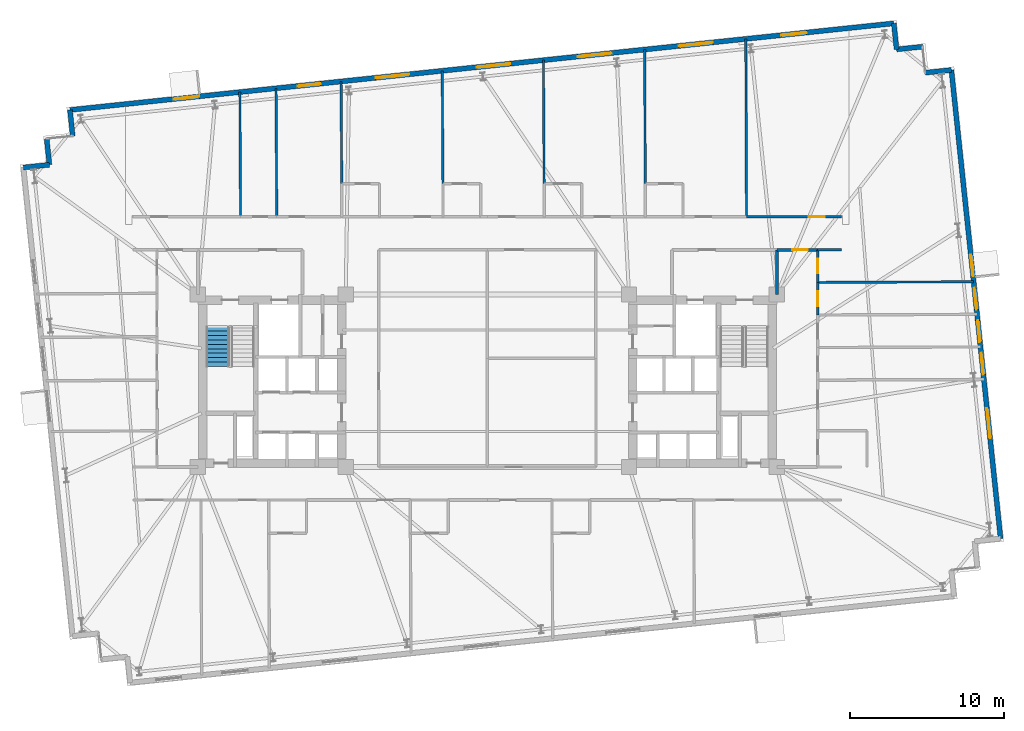
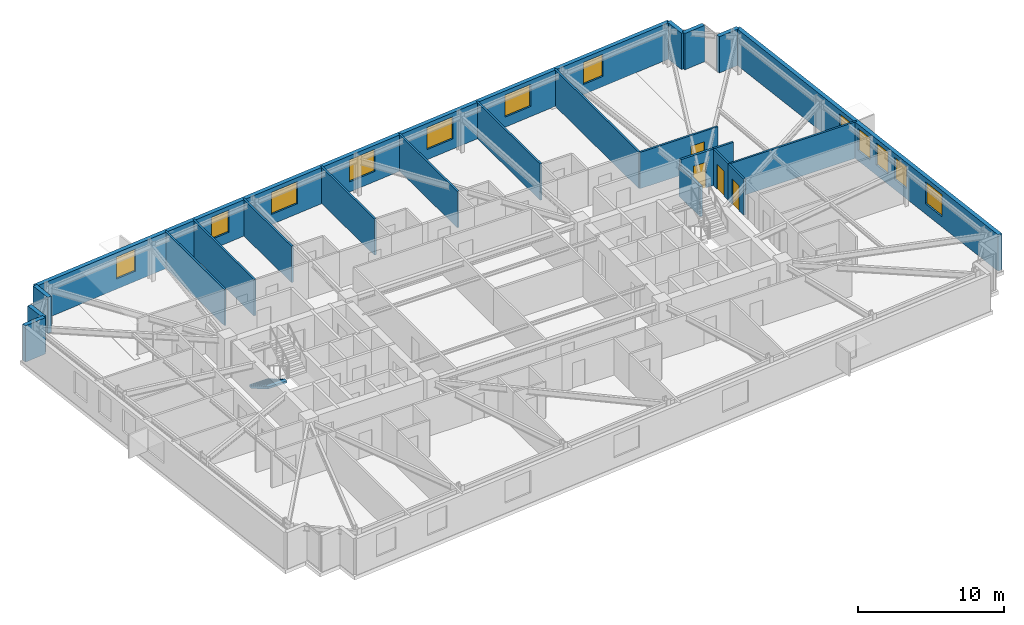
# One storey, part 16 of 20: 22 walls, 12 windows, 4 doors, 1 stair flight, 16 openings, 1 element without a shape of its own.
"""IFC4 building model written with IfcOpenShell, lengths in metres."""

import ifcopenshell
import ifcopenshell.guid

model = None  # the IFC model being written
_history = None  # IfcOwnerHistory: only IFC2X3 demands one
_inside = {}  # id of a spatial element -> (the spatial element, [elements in it])
_under = {}  # id of a project, library or spatial element -> (it, [spatial elements below it])
_declared = {}  # id of a project -> (the project, [libraries it declares])
_typed = {}  # id of a type object -> (the type object, [elements of that type])
_made_of = {}  # id of a material, layer set ... -> (it, [elements and type objects made of it])


def new_model(schema):
    """Start an empty IFC model of exactly this schema.

    Asked for "IFC4X3", IfcOpenShell would pick the latest addendum, in which some entities
    have other attributes; the version numbers below select the first issue.
    IFC2X3 requires an IfcOwnerHistory on every rooted entity: one is made here for all.
    """
    global model, _history
    if schema == "IFC4X3":
        model = ifcopenshell.file(schema_version=(4, 3, 0, 0))
    else:
        model = ifcopenshell.file(schema=schema)
    _inside.clear()
    _under.clear()
    _declared.clear()
    _typed.clear()
    _made_of.clear()
    _history = None
    if model.schema == "IFC2X3":
        org = make("IfcOrganization", Name="unknown")
        user = make(
            "IfcPersonAndOrganization",
            ThePerson=make("IfcPerson", FamilyName="unknown"),
            TheOrganization=org,
        )
        app = make(
            "IfcApplication",
            ApplicationDeveloper=org,
            Version="unknown",
            ApplicationFullName="unknown",
            ApplicationIdentifier="unknown",
        )
        _history = make(
            "IfcOwnerHistory",
            OwningUser=user,
            OwningApplication=app,
            ChangeAction="ADDED",
            CreationDate=0,
        )
    return model


def make(cls, **values):
    """One entity of the class cls with the attributes given. An attribute that is None is left unset."""
    return model.create_entity(
        cls, **{name: value for name, value in values.items() if value is not None}
    )


def rooted(cls, **values):
    """An entity with a GlobalId (a new one), such as an element, a storey or a relation."""
    return make(cls, GlobalId=ifcopenshell.guid.new(), OwnerHistory=_history, **values)


def si_unit(unit_type, name, prefix=None):
    """IfcSIUnit, for example si_unit("LENGTHUNIT", "METRE", prefix="MILLI")."""
    return make("IfcSIUnit", UnitType=unit_type, Prefix=prefix, Name=name)


def assignment(units):
    """IfcUnitAssignment: the units of a project."""
    return None if units is None else make("IfcUnitAssignment", Units=units)


def point(xyz):
    """IfcCartesianPoint."""
    return None if xyz is None else make("IfcCartesianPoint", Coordinates=xyz)


def direction(xyz):
    """IfcDirection."""
    return None if xyz is None else make("IfcDirection", DirectionRatios=xyz)


def frame(location, z_axis=None, x_axis=None):
    """IfcAxis2Placement3D, a coordinate frame: its origin and axes. An axis left out is left unset."""
    return make(
        "IfcAxis2Placement3D",
        Location=point(location),
        Axis=direction(z_axis),
        RefDirection=direction(x_axis),
    )


def frame_2d(location, x_axis=None):
    """IfcAxis2Placement2D, a coordinate frame in the plane: its origin and x axis."""
    return make(
        "IfcAxis2Placement2D", Location=point(location), RefDirection=direction(x_axis)
    )


def origin():
    """The frame at (0, 0, 0) with its axes left unset."""
    return frame((0.0, 0.0, 0.0))


def place(relative_to, where):
    """IfcLocalPlacement: puts the frame where relative to a parent placement (None: the world)."""
    return make(
        "IfcLocalPlacement", PlacementRelTo=relative_to, RelativePlacement=where
    )


def context(
    kind, dimensions, precision=None, world=None, true_north=None, identifier=None
):
    """IfcGeometricRepresentationContext, for example the 3D "Model" context."""
    return make(
        "IfcGeometricRepresentationContext",
        ContextIdentifier=identifier,
        ContextType=kind,
        CoordinateSpaceDimension=dimensions,
        Precision=precision,
        WorldCoordinateSystem=world,
        TrueNorth=true_north,
    )


def subcontext(parent, identifier, kind, view, scale=None):
    """IfcGeometricRepresentationSubContext, for example "Body" below "Model"."""
    return make(
        "IfcGeometricRepresentationSubContext",
        ContextIdentifier=identifier,
        ContextType=kind,
        ParentContext=parent,
        TargetScale=scale,
        TargetView=view,
    )


def project(units=None, contexts=None):
    """IfcProject with its units and contexts."""
    return rooted(
        "IfcProject",
        Name="project",
        RepresentationContexts=contexts,
        UnitsInContext=assignment(units),
    )


def spatial(cls, under=None, at=None, **own):
    """A site, building, storey or space (cls), placed at a placement, below another one or the project."""
    s = rooted(cls, ObjectPlacement=at, **own)
    if under is not None:
        _under.setdefault(under.id(), (under, []))[1].append(s)
    return s


def polyline(points):
    """IfcPolyline through the points."""
    return make("IfcPolyline", Points=[point(p) for p in points])


def profile(cls, at=None, kind="AREA", **sizes):
    """A parametric profile (cls). Its sizes go by their IFC names, for example OverallWidth=200.0."""
    return make(cls, ProfileType=kind, Position=at, **sizes)


def rectangle(**sizes):
    """IfcRectangleProfileDef."""
    return profile("IfcRectangleProfileDef", **sizes)


def outline(outer, holes=None, kind="AREA"):
    """IfcArbitraryClosedProfileDef: a profile drawn as a closed curve; with holes, ...WithVoids."""
    if holes is None:
        return make("IfcArbitraryClosedProfileDef", ProfileType=kind, OuterCurve=outer)
    return make(
        "IfcArbitraryProfileDefWithVoids",
        ProfileType=kind,
        OuterCurve=outer,
        InnerCurves=holes,
    )


def extrude(swept, where, along, depth):
    """IfcExtrudedAreaSolid: the profile swept, set in the frame where, extruded along a direction by depth."""
    return make(
        "IfcExtrudedAreaSolid",
        SweptArea=swept,
        Position=where,
        ExtrudedDirection=direction(along),
        Depth=depth,
    )


def shape(context_of_items, identifier, shape_type, items):
    """IfcShapeRepresentation: the items that make up one representation, for example the "Body"."""
    return make(
        "IfcShapeRepresentation",
        ContextOfItems=context_of_items,
        RepresentationIdentifier=identifier,
        RepresentationType=shape_type,
        Items=items,
    )


def material(Name=None, Category=None):
    """IfcMaterial."""
    return make("IfcMaterial", Name=Name, Category=Category)


def layer(
    of_material, thickness, ventilated=None, Name=None, Category=None, Priority=None
):
    """IfcMaterialLayer: one layer of a wall or slab, of a material (None: an air gap)."""
    return make(
        "IfcMaterialLayer",
        Material=of_material,
        LayerThickness=thickness,
        IsVentilated=ventilated,
        Name=Name,
        Category=Category,
        Priority=Priority,
    )


def layer_set(layers, Name=None):
    """IfcMaterialLayerSet."""
    return make("IfcMaterialLayerSet", MaterialLayers=layers, LayerSetName=Name)


def made_of(thing, what):
    """Note that an element or type object is made of a material, layer set ...; save() writes the relation."""
    if what is not None:
        _made_of.setdefault(what.id(), (what, []))[1].append(thing)
    return thing


def type_object(cls, material=None, **own):
    """A type object (cls), such as IfcWallType, which elements share."""
    return made_of(rooted(cls, **own), material)


def element(
    cls,
    number,
    at=None,
    inside=None,
    cuts=None,
    type_object=None,
    material=None,
    context=None,
    identifier="Body",
    shape_type=None,
    held_by="IfcProductDefinitionShape",
    body=None,
    shapes=None,
    **own,
):
    """One element of the class cls, such as IfcWall. Its Tag is "e" and its number.

    at: its placement. inside: the storey or other place that contains it. cuts: it is an
    opening in that element (IfcRelVoidsElement). A single representation is given by context,
    identifier, shape_type and body (its items); several are given by shapes. held_by: the class
    of the entity that holds the representations. save() writes the other relations.
    """
    e = rooted(cls, Tag="e%d" % number, ObjectPlacement=at, **own)
    if body is not None:
        shapes = [shape(context, identifier, shape_type, body)]
    if shapes is not None:
        e.Representation = make(held_by, Representations=shapes)
    if inside is not None:
        _inside.setdefault(inside.id(), (inside, []))[1].append(e)
    if cuts is not None:
        rooted(
            "IfcRelVoidsElement", RelatingBuildingElement=cuts, RelatedOpeningElement=e
        )
    if type_object is not None:
        _typed.setdefault(type_object.id(), (type_object, []))[1].append(e)
    return made_of(e, material)


def fill(opening, filler):
    """IfcRelFillsElement: the door or window that sits in an opening."""
    return rooted(
        "IfcRelFillsElement",
        RelatingOpeningElement=opening,
        RelatedBuildingElement=filler,
    )


def aggregate(whole, parts):
    """IfcRelAggregates: a whole, such as a stair, and the parts it consists of."""
    return rooted("IfcRelAggregates", RelatingObject=whole, RelatedObjects=parts)


def save(model, path):
    """Write the relations noted so far, then the file.

    IfcRelAggregates (storeys below a building ...), IfcRelContainedInSpatialStructure (elements
    in a storey), IfcRelDefinesByType, IfcRelAssociatesMaterial and IfcRelDeclares: one each for
    every whole, place, type object, material and project.
    """
    for whole, parts in _under.values():
        aggregate(whole, parts)
    for where, things in _inside.values():
        rooted(
            "IfcRelContainedInSpatialStructure",
            RelatedElements=things,
            RelatingStructure=where,
        )
    for kind, things in _typed.values():
        rooted("IfcRelDefinesByType", RelatedObjects=things, RelatingType=kind)
    for what, things in _made_of.values():
        rooted("IfcRelAssociatesMaterial", RelatedObjects=things, RelatingMaterial=what)
    for by, libraries in _declared.values():
        rooted("IfcRelDeclares", RelatingContext=by, RelatedDefinitions=libraries)
    model.write(path)


model = new_model("IFC4")

# Units and contexts
model_context = context("Model", 3, precision=1e-05, world=origin(), true_north=direction((0.0, 1.0)))
body_context = subcontext(model_context, "Body", "Model", "MODEL_VIEW")
ifc_project = project(units=[si_unit("LENGTHUNIT", "METRE"), si_unit("AREAUNIT", "SQUARE_METRE"), si_unit("VOLUMEUNIT", "CUBIC_METRE"), si_unit("PLANEANGLEUNIT", "RADIAN"), si_unit("MASSUNIT", "GRAM", prefix="KILO")], contexts=[model_context])

# Site, building, storey
site_placement = place(None, origin())
site = spatial("IfcSite", under=ifc_project, at=site_placement, CompositionType="ELEMENT")
building_placement = place(site_placement, origin())
building = spatial("IfcBuilding", under=site, at=building_placement, Name="Qobustan Lattice House", CompositionType="ELEMENT")
storey_placement = place(building_placement, frame((0.0, 0.0, 89.050048828125)))
storey = spatial("IfcBuildingStorey", under=building, at=storey_placement, Name="L24", CompositionType="ELEMENT", Elevation=89.050048828125)

# Walls
ifc_material_1 = material(Name="Precast concrete C40/50", Category="concrete")
ifc_layer_1 = layer(ifc_material_1, 0.320068359375)
ifc_layer_set_1 = layer_set([ifc_layer_1], Name="Precast concrete C40/50")
wall_type_1 = type_object("IfcWallType", Name="WAL-EXT-STONE-320", PredefinedType="SOLIDWALL", material=ifc_layer_set_1)
for number, where, z_axis, x_axis, name in (
    (1, (-30.13330078125, 13.84912109375, 0.0), (0.0, 0.0, 1.0), (0.994534530939, 0.104408173862, 0.0), "L24 exterior limestone-clad wall 6"),
    (2, (-28.442626953125, 14.026611328125, 0.0), (0.0, 0.0, 1.0), (-0.104550220202, 0.994519608382, 0.0), "L24 exterior limestone-clad wall 7"),
    (3, (-26.9296875, 15.89501953125, 0.0), (0.0, 0.0, 1.0), (-0.104550220202, 0.994519608382, 0.0), "L24 exterior limestone-clad wall 9"),
):
    element("IfcWall", number, at=place(storey_placement, frame(where, z_axis=z_axis, x_axis=x_axis)), inside=storey, type_object=wall_type_1, Name=name, PredefinedType="SOLIDWALL", context=body_context, shape_type="SweptSolid", body=[
        extrude(rectangle(XDim=1.699951171875, YDim=0.320068359375, at=frame_2d((0.85009765625, 0.0))), origin(), (0.0, 0.0, 1.0), 3.044921875),
    ])

# Wall, openings, windows
wall_1_placement = place(storey_placement, frame((-27.107421875, 17.585693359375, 0.0), z_axis=(0.0, 0.0, 1.0), x_axis=(0.994521628355, 0.104531003701, 0.0)))
wall_1 = element("IfcWall", 4, at=wall_1_placement, inside=storey, type_object=wall_type_1, Name="L24 exterior limestone-clad wall 10", PredefinedType="SOLIDWALL", context=body_context, shape_type="SweptSolid", body=[
    extrude(rectangle(XDim=53.800048828125, YDim=0.320068359375, at=frame_2d((26.89990234375, 0.0))), origin(), (0.0, 0.0, 1.0), 3.044921875),
])
opening_1_placement = place(wall_1_placement, frame((6.78076171875, 0.0, 0.85009765625)))
opening_1 = element("IfcOpeningElement", 5, at=opening_1_placement, cuts=wall_1, Name="Opening WN-09", PredefinedType="OPENING", context=body_context, shape_type="SweptSolid", body=[
    extrude(rectangle(XDim=1.64990234375, YDim=1.85009765625, at=frame_2d((0.824951171875, 0.925048828125))), frame((0.0, 0.169921875, 0.0), z_axis=(0.0, -1.0, 0.0), x_axis=(1.0, 0.0, 0.0)), (0.0, 0.0, 1.0), 0.340087890625),
])
opening_2_placement = place(wall_1_placement, frame((14.861572265625, 0.0, 0.85009765625)))
opening_2 = element("IfcOpeningElement", 6, at=opening_2_placement, cuts=wall_1, Name="Opening WN-01", PredefinedType="OPENING", context=body_context, shape_type="SweptSolid", body=[
    extrude(rectangle(XDim=1.5, YDim=1.85009765625, at=frame_2d((0.75, 0.925048828125))), frame((0.0, 0.169921875, 0.0), z_axis=(0.0, -1.0, 0.0), x_axis=(1.0, 0.0, 0.0)), (0.0, 0.0, 1.0), 0.340087890625),
])
opening_3_placement = place(wall_1_placement, frame((19.955810546875, 0.0, 0.85009765625)))
opening_3 = element("IfcOpeningElement", 7, at=opening_3_placement, cuts=wall_1, Name="Opening WN-03", PredefinedType="OPENING", context=body_context, shape_type="SweptSolid", body=[
    extrude(rectangle(XDim=2.199951171875, YDim=1.85009765625, at=frame_2d((1.10009765625, 0.925048828125))), frame((0.0, 0.169921875, 0.0), z_axis=(0.0, -1.0, 0.0), x_axis=(1.0, 0.0, 0.0)), (0.0, 0.0, 1.0), 0.340087890625),
])
opening_4_placement = place(wall_1_placement, frame((26.560546875, 0.0, 0.85009765625)))
opening_4 = element("IfcOpeningElement", 8, at=opening_4_placement, cuts=wall_1, Name="Opening WN-03", PredefinedType="OPENING", context=body_context, shape_type="SweptSolid", body=[
    extrude(rectangle(XDim=2.199951171875, YDim=1.85009765625, at=frame_2d((1.10009765625, 0.925048828125))), frame((0.0, 0.169921875, 0.0), z_axis=(0.0, -1.0, 0.0), x_axis=(1.0, 0.0, 0.0)), (0.0, 0.0, 1.0), 0.340087890625),
])
opening_5_placement = place(wall_1_placement, frame((33.16552734375, 0.0, 0.85009765625)))
opening_5 = element("IfcOpeningElement", 9, at=opening_5_placement, cuts=wall_1, Name="Opening WN-03", PredefinedType="OPENING", context=body_context, shape_type="SweptSolid", body=[
    extrude(rectangle(XDim=2.199951171875, YDim=1.85009765625, at=frame_2d((1.10009765625, 0.925048828125))), frame((0.0, 0.169921875, 0.0), z_axis=(0.0, -1.0, 0.0), x_axis=(1.0, 0.0, 0.0)), (0.0, 0.0, 1.0), 0.340087890625),
])
opening_6_placement = place(wall_1_placement, frame((39.7705078125, 0.0, 0.85009765625)))
opening_6 = element("IfcOpeningElement", 10, at=opening_6_placement, cuts=wall_1, Name="Opening WN-03", PredefinedType="OPENING", context=body_context, shape_type="SweptSolid", body=[
    extrude(rectangle(XDim=2.199951171875, YDim=1.85009765625, at=frame_2d((1.10009765625, 0.925048828125))), frame((0.0, 0.169921875, 0.0), z_axis=(0.0, -1.0, 0.0), x_axis=(1.0, 0.0, 0.0)), (0.0, 0.0, 1.0), 0.340087890625),
])
opening_7_placement = place(wall_1_placement, frame((46.4501953125, 0.0, 0.85009765625)))
opening_7 = element("IfcOpeningElement", 11, at=opening_7_placement, cuts=wall_1, Name="Opening WN-09", PredefinedType="OPENING", context=body_context, shape_type="SweptSolid", body=[
    extrude(rectangle(XDim=1.64990234375, YDim=1.85009765625, at=frame_2d((0.824951171875, 0.925048828125))), frame((0.0, 0.169921875, 0.0), z_axis=(0.0, -1.0, 0.0), x_axis=(1.0, 0.0, 0.0)), (0.0, 0.0, 1.0), 0.340087890625),
])
ifc_material_2 = material(Name="Double-glazed low-E aluminium window", Category="aluminium")
window_type_1 = type_object("IfcWindowType", Name="WIN-BED-1500x1850", PartitioningType="SINGLE_PANEL", PredefinedType="WINDOW", material=ifc_material_2)
window_1_placement = place(opening_2_placement, origin())
window_1 = element("IfcWindow", 12, at=window_1_placement, inside=storey, type_object=window_type_1, Name="L24 Laundry utility room window", OverallHeight=1.85009765625, OverallWidth=1.5, PartitioningType="SINGLE_PANEL", PredefinedType="WINDOW", context=body_context, shape_type="SweptSolid", body=[
    extrude(rectangle(XDim=1.5, YDim=1.85009765625, at=frame_2d((0.75, 0.925048828125))), frame((0.0, 0.030029296875, 0.0), z_axis=(0.0, -1.0, 0.0), x_axis=(1.0, 0.0, 0.0)), (0.0, 0.0, 1.0), 0.06005859375),
])
fill(opening_2, window_1)
ifc_material_3 = material(Name="Double-glazed low-E aluminium window", Category="aluminium")
window_type_2 = type_object("IfcWindowType", Name="WIN-STU-1650x1850", PartitioningType="SINGLE_PANEL", PredefinedType="WINDOW", material=ifc_material_3)
window_2_placement = place(opening_1_placement, origin())
window_2 = element("IfcWindow", 13, at=window_2_placement, inside=storey, type_object=window_type_2, Name="L24 Focus study room N1 window", OverallHeight=1.85009765625, OverallWidth=1.64990234375, PartitioningType="SINGLE_PANEL", PredefinedType="WINDOW", context=body_context, shape_type="SweptSolid", body=[
    extrude(rectangle(XDim=1.64990234375, YDim=1.85009765625, at=frame_2d((0.824951171875, 0.925048828125))), frame((0.0, 0.030029296875, 0.0), z_axis=(0.0, -1.0, 0.0), x_axis=(1.0, 0.0, 0.0)), (0.0, 0.0, 1.0), 0.06005859375),
])
fill(opening_1, window_2)
window_3_placement = place(opening_7_placement, origin())
window_3 = element("IfcWindow", 14, at=window_3_placement, inside=storey, type_object=window_type_2, Name="L24 Focus study room N7 window", OverallHeight=1.85009765625, OverallWidth=1.64990234375, PartitioningType="SINGLE_PANEL", PredefinedType="WINDOW", context=body_context, shape_type="SweptSolid", body=[
    extrude(rectangle(XDim=1.64990234375, YDim=1.85009765625, at=frame_2d((0.824951171875, 0.925048828125))), frame((0.0, 0.030029296875, 0.0), z_axis=(0.0, -1.0, 0.0), x_axis=(1.0, 0.0, 0.0)), (0.0, 0.0, 1.0), 0.06005859375),
])
fill(opening_7, window_3)
ifc_material_4 = material(Name="Double-glazed low-E aluminium window", Category="aluminium")
window_type_3 = type_object("IfcWindowType", Name="WIN-WIDE-2200x1850", PartitioningType="SINGLE_PANEL", PredefinedType="WINDOW", material=ifc_material_4)
window_4_placement = place(opening_3_placement, origin())
window_4 = element("IfcWindow", 15, at=window_4_placement, inside=storey, type_object=window_type_3, Name="L24 Kitchenette and studio apartment L24-N3 window", OverallHeight=1.85009765625, OverallWidth=2.199951171875, PartitioningType="SINGLE_PANEL", PredefinedType="WINDOW", context=body_context, shape_type="SweptSolid", body=[
    extrude(rectangle(XDim=2.199951171875, YDim=1.85009765625, at=frame_2d((1.10009765625, 0.925048828125))), frame((0.0, 0.030029296875, 0.0), z_axis=(0.0, -1.0, 0.0), x_axis=(1.0, 0.0, 0.0)), (0.0, 0.0, 1.0), 0.06005859375),
])
fill(opening_3, window_4)
window_5_placement = place(opening_4_placement, origin())
window_5 = element("IfcWindow", 16, at=window_5_placement, inside=storey, type_object=window_type_3, Name="L24 Kitchenette and studio apartment L24-N4 window", OverallHeight=1.85009765625, OverallWidth=2.199951171875, PartitioningType="SINGLE_PANEL", PredefinedType="WINDOW", context=body_context, shape_type="SweptSolid", body=[
    extrude(rectangle(XDim=2.199951171875, YDim=1.85009765625, at=frame_2d((1.10009765625, 0.925048828125))), frame((0.0, 0.030029296875, 0.0), z_axis=(0.0, -1.0, 0.0), x_axis=(1.0, 0.0, 0.0)), (0.0, 0.0, 1.0), 0.06005859375),
])
fill(opening_4, window_5)
window_6_placement = place(opening_5_placement, origin())
window_6 = element("IfcWindow", 17, at=window_6_placement, inside=storey, type_object=window_type_3, Name="L24 Kitchenette and studio apartment L24-N5 window", OverallHeight=1.85009765625, OverallWidth=2.199951171875, PartitioningType="SINGLE_PANEL", PredefinedType="WINDOW", context=body_context, shape_type="SweptSolid", body=[
    extrude(rectangle(XDim=2.199951171875, YDim=1.85009765625, at=frame_2d((1.10009765625, 0.925048828125))), frame((0.0, 0.030029296875, 0.0), z_axis=(0.0, -1.0, 0.0), x_axis=(1.0, 0.0, 0.0)), (0.0, 0.0, 1.0), 0.06005859375),
])
fill(opening_5, window_6)
window_7_placement = place(opening_6_placement, origin())
window_7 = element("IfcWindow", 18, at=window_7_placement, inside=storey, type_object=window_type_3, Name="L24 Kitchenette and studio apartment L24-N6 window", OverallHeight=1.85009765625, OverallWidth=2.199951171875, PartitioningType="SINGLE_PANEL", PredefinedType="WINDOW", context=body_context, shape_type="SweptSolid", body=[
    extrude(rectangle(XDim=2.199951171875, YDim=1.85009765625, at=frame_2d((1.10009765625, 0.925048828125))), frame((0.0, 0.030029296875, 0.0), z_axis=(0.0, -1.0, 0.0), x_axis=(1.0, 0.0, 0.0)), (0.0, 0.0, 1.0), 0.06005859375),
])
fill(opening_6, window_7)

# Walls
for number, where, z_axis, x_axis, name in (
    (19, (26.39794921875, 23.20947265625, 0.0), (0.0, 0.0, 1.0), (0.104550220202, -0.994519608382, 0.0), "L24 exterior limestone-clad wall 11"),
    (20, (26.57568359375, 21.518798828125, 0.0), (0.0, 0.0, 1.0), (0.994534530939, 0.104408173862, 0.0), "L24 exterior limestone-clad wall 12"),
    (21, (28.444091796875, 20.005615234375, 0.0), (0.0, 0.0, 1.0), (0.994519608382, 0.104550220202, 0.0), "L24 exterior limestone-clad wall 14"),
):
    element("IfcWall", number, at=place(storey_placement, frame(where, z_axis=z_axis, x_axis=x_axis)), inside=storey, type_object=wall_type_1, Name=name, PredefinedType="SOLIDWALL", context=body_context, shape_type="SweptSolid", body=[
        extrude(rectangle(XDim=1.699951171875, YDim=0.320068359375, at=frame_2d((0.85009765625, 0.0))), origin(), (0.0, 0.0, 1.0), 3.044921875),
    ])

# Wall, openings, windows
wall_2_placement = place(storey_placement, frame((30.134765625, 20.183349609375, 0.0), z_axis=(0.0, 0.0, 1.0), x_axis=(0.104525716865, -0.994522184023, 0.0)))
wall_2 = element("IfcWall", 22, at=wall_2_placement, inside=storey, type_object=wall_type_1, Name="L24 exterior limestone-clad wall 15", PredefinedType="SOLIDWALL", context=body_context, shape_type="SweptSolid", body=[
    extrude(rectangle(XDim=30.60009765625, YDim=0.320068359375, at=frame_2d((15.300048828125, 0.0))), origin(), (0.0, 0.0, 1.0), 3.044921875),
])
opening_8_placement = place(wall_2_placement, frame((12.07666015625, 0.0, 0.85009765625)))
opening_8 = element("IfcOpeningElement", 23, at=opening_8_placement, cuts=wall_2, Name="Opening WN-12", PredefinedType="OPENING", context=body_context, shape_type="SweptSolid", body=[
    extrude(rectangle(XDim=1.39990234375, YDim=1.85009765625, at=frame_2d((0.699951171875, 0.925048828125))), frame((0.0, 0.169921875, 0.0), z_axis=(0.0, -1.0, 0.0), x_axis=(1.0, 0.0, 0.0)), (0.0, 0.0, 1.0), 0.340087890625),
])
opening_9_placement = place(wall_2_placement, frame((14.239501953125, 0.0, 0.85009765625)))
opening_9 = element("IfcOpeningElement", 24, at=opening_9_placement, cuts=wall_2, Name="Opening WN-12", PredefinedType="OPENING", context=body_context, shape_type="SweptSolid", body=[
    extrude(rectangle(XDim=1.39990234375, YDim=1.85009765625, at=frame_2d((0.699951171875, 0.925048828125))), frame((0.0, 0.169921875, 0.0), z_axis=(0.0, -1.0, 0.0), x_axis=(1.0, 0.0, 0.0)), (0.0, 0.0, 1.0), 0.340087890625),
])
opening_10_placement = place(wall_2_placement, frame((16.3623046875, 0.0, 0.85009765625)))
opening_10 = element("IfcOpeningElement", 25, at=opening_10_placement, cuts=wall_2, Name="Opening WN-12", PredefinedType="OPENING", context=body_context, shape_type="SweptSolid", body=[
    extrude(rectangle(XDim=1.39990234375, YDim=1.85009765625, at=frame_2d((0.699951171875, 0.925048828125))), frame((0.0, 0.169921875, 0.0), z_axis=(0.0, -1.0, 0.0), x_axis=(1.0, 0.0, 0.0)), (0.0, 0.0, 1.0), 0.340087890625),
])
opening_11_placement = place(wall_2_placement, frame((18.485107421875, 0.0, 0.85009765625)))
opening_11 = element("IfcOpeningElement", 26, at=opening_11_placement, cuts=wall_2, Name="Opening WN-12", PredefinedType="OPENING", context=body_context, shape_type="SweptSolid", body=[
    extrude(rectangle(XDim=1.39990234375, YDim=1.85009765625, at=frame_2d((0.699951171875, 0.925048828125))), frame((0.0, 0.169921875, 0.0), z_axis=(0.0, -1.0, 0.0), x_axis=(1.0, 0.0, 0.0)), (0.0, 0.0, 1.0), 0.340087890625),
])
opening_12_placement = place(wall_2_placement, frame((22.09521484375, 0.0, 0.85009765625)))
opening_12 = element("IfcOpeningElement", 27, at=opening_12_placement, cuts=wall_2, Name="Opening WN-08", PredefinedType="OPENING", context=body_context, shape_type="SweptSolid", body=[
    extrude(rectangle(XDim=1.949951171875, YDim=1.85009765625, at=frame_2d((0.97509765625, 0.925048828125))), frame((0.0, 0.169921875, 0.0), z_axis=(0.0, -1.0, 0.0), x_axis=(1.0, 0.0, 0.0)), (0.0, 0.0, 1.0), 0.340087890625),
])
ifc_material_5 = material(Name="Double-glazed low-E aluminium window", Category="aluminium")
window_type_4 = type_object("IfcWindowType", Name="WIN-BED-1400x1850", PartitioningType="SINGLE_PANEL", PredefinedType="WINDOW", material=ifc_material_5)
window_8_placement = place(opening_8_placement, origin())
window_8 = element("IfcWindow", 28, at=window_8_placement, inside=storey, type_object=window_type_4, Name="L24 Cluster bedroom L24E4 window", OverallHeight=1.85009765625, OverallWidth=1.39990234375, PartitioningType="SINGLE_PANEL", PredefinedType="WINDOW", context=body_context, shape_type="SweptSolid", body=[
    extrude(rectangle(XDim=1.39990234375, YDim=1.85009765625, at=frame_2d((0.699951171875, 0.925048828125))), frame((0.0, 0.030029296875, 0.0), z_axis=(0.0, -1.0, 0.0), x_axis=(1.0, 0.0, 0.0)), (0.0, 0.0, 1.0), 0.06005859375),
])
fill(opening_8, window_8)
window_9_placement = place(opening_9_placement, origin())
window_9 = element("IfcWindow", 29, at=window_9_placement, inside=storey, type_object=window_type_4, Name="L24 Cluster bedroom L24E3 window", OverallHeight=1.85009765625, OverallWidth=1.39990234375, PartitioningType="SINGLE_PANEL", PredefinedType="WINDOW", context=body_context, shape_type="SweptSolid", body=[
    extrude(rectangle(XDim=1.39990234375, YDim=1.85009765625, at=frame_2d((0.699951171875, 0.925048828125))), frame((0.0, 0.030029296875, 0.0), z_axis=(0.0, -1.0, 0.0), x_axis=(1.0, 0.0, 0.0)), (0.0, 0.0, 1.0), 0.06005859375),
])
fill(opening_9, window_9)
window_10_placement = place(opening_10_placement, origin())
window_10 = element("IfcWindow", 30, at=window_10_placement, inside=storey, type_object=window_type_4, Name="L24 Cluster bedroom L24E2 window", OverallHeight=1.85009765625, OverallWidth=1.39990234375, PartitioningType="SINGLE_PANEL", PredefinedType="WINDOW", context=body_context, shape_type="SweptSolid", body=[
    extrude(rectangle(XDim=1.39990234375, YDim=1.85009765625, at=frame_2d((0.699951171875, 0.925048828125))), frame((0.0, 0.030029296875, 0.0), z_axis=(0.0, -1.0, 0.0), x_axis=(1.0, 0.0, 0.0)), (0.0, 0.0, 1.0), 0.06005859375),
])
fill(opening_10, window_10)
window_11_placement = place(opening_11_placement, origin())
window_11 = element("IfcWindow", 31, at=window_11_placement, inside=storey, type_object=window_type_4, Name="L24 Cluster bedroom L24E1 window", OverallHeight=1.85009765625, OverallWidth=1.39990234375, PartitioningType="SINGLE_PANEL", PredefinedType="WINDOW", context=body_context, shape_type="SweptSolid", body=[
    extrude(rectangle(XDim=1.39990234375, YDim=1.85009765625, at=frame_2d((0.699951171875, 0.925048828125))), frame((0.0, 0.030029296875, 0.0), z_axis=(0.0, -1.0, 0.0), x_axis=(1.0, 0.0, 0.0)), (0.0, 0.0, 1.0), 0.06005859375),
])
fill(opening_11, window_11)
ifc_material_6 = material(Name="Double-glazed low-E aluminium window", Category="aluminium")
window_type_5 = type_object("IfcWindowType", Name="WIN-KIT-1950x1850", PartitioningType="SINGLE_PANEL", PredefinedType="WINDOW", material=ifc_material_6)
window_12_placement = place(opening_12_placement, origin())
window_12 = element("IfcWindow", 32, at=window_12_placement, inside=storey, type_object=window_type_5, Name="L24 Shared kitchen L24E window", OverallHeight=1.85009765625, OverallWidth=1.949951171875, PartitioningType="SINGLE_PANEL", PredefinedType="WINDOW", context=body_context, shape_type="SweptSolid", body=[
    extrude(rectangle(XDim=1.949951171875, YDim=1.85009765625, at=frame_2d((0.97509765625, 0.925048828125))), frame((0.0, 0.030029296875, 0.0), z_axis=(0.0, -1.0, 0.0), x_axis=(1.0, 0.0, 0.0)), (0.0, 0.0, 1.0), 0.06005859375),
])
fill(opening_12, window_12)

# Wall, opening, door
ifc_material_7 = material(Name="Gypsum fireboard acoustic partition", Category="gypsum")
ifc_layer_2 = layer(ifc_material_7, 0.179931640625)
ifc_layer_set_2 = layer_set([ifc_layer_2], Name="Gypsum fireboard acoustic partition")
wall_type_2 = type_object("IfcWallType", Name="WAL-FIRE-180", PredefinedType="PARTITIONING", material=ifc_layer_set_2)
wall_3_placement = place(storey_placement, frame((21.449951171875, 8.5, 0.0), z_axis=(0.0, 0.0, 1.0), x_axis=(-1.0, 0.0, 0.0)))
wall_3 = element("IfcWall", 33, at=wall_3_placement, inside=storey, type_object=wall_type_2, Name="L24 interior partition 48", PredefinedType="PARTITIONING", context=body_context, shape_type="SweptSolid", body=[
    extrude(rectangle(XDim=2.64990234375, YDim=0.179931640625, at=frame_2d((1.324951171875, 0.0))), origin(), (0.0, 0.0, 1.0), 3.044921875),
])
opening_13_placement = place(wall_3_placement, frame((0.64111328125, 0.0, 0.0)))
opening_13 = element("IfcOpeningElement", 34, at=opening_13_placement, cuts=wall_3, Name="Opening FD-02", PredefinedType="OPENING", context=body_context, shape_type="SweptSolid", body=[
    extrude(rectangle(XDim=1.0, YDim=2.14990234375, at=frame_2d((0.5, 1.074951171875))), frame((0.0, 0.099853515625, 0.0), z_axis=(0.0, -1.0, 0.0), x_axis=(1.0, 0.0, 0.0)), (0.0, 0.0, 1.0), 0.199951171875),
])
ifc_material_8 = material(Name="Persian walnut timber and steel frame door", Category="steel")
door_type_1 = type_object("IfcDoorType", Name="DOR-UNIT-FD-1000x2150", OperationType="NOTDEFINED", PredefinedType="DOOR", material=ifc_material_8)
door_1_placement = place(opening_13_placement, origin())
door_1 = element("IfcDoor", 35, at=door_1_placement, inside=storey, type_object=door_type_1, Name="L24 North-east floor corridor to Residence entrance hall L24E door", OperationType="SINGLE_SWING_RIGHT", OverallHeight=2.14990234375, OverallWidth=1.0, PredefinedType="DOOR", context=body_context, shape_type="SweptSolid", body=[
    extrude(rectangle(XDim=1.0, YDim=2.14990234375, at=frame_2d((0.5, 1.074951171875))), frame((0.0, 0.02490234375, 0.0), z_axis=(0.0, -1.0, 0.0), x_axis=(1.0, 0.0, 0.0)), (0.0, 0.0, 1.0), 0.050048828125),
])
fill(opening_13, door_1)

# Wall
ifc_material_9 = material(Name="Acoustic twin-stud gypsum partition", Category="gypsum")
ifc_layer_3 = layer(ifc_material_9, 0.14990234375)
ifc_layer_set_3 = layer_set([ifc_layer_3], Name="Acoustic twin-stud gypsum partition")
wall_type_3 = type_object("IfcWallType", Name="WAL-PART-150", PredefinedType="PARTITIONING", material=ifc_layer_set_3)
wall_4_placement = place(storey_placement, frame((23.0, 8.5, 0.0), z_axis=(0.0, 0.0, 1.0), x_axis=(-1.0, 0.0, 0.0)))
element("IfcWall", 36, at=wall_4_placement, inside=storey, type_object=wall_type_3, Name="L24 interior partition 49", PredefinedType="PARTITIONING", context=body_context, shape_type="SweptSolid", body=[
    extrude(rectangle(XDim=1.550048828125, YDim=0.14990234375, at=frame_2d((0.77490234375, 0.0))), origin(), (0.0, 0.0, 1.0), 3.044921875),
])

# Wall, opening, door
wall_5_placement = place(storey_placement, frame((16.8291015625, 10.64990234375, 0.0), z_axis=(0.0, 0.0, 1.0), x_axis=(1.0, 0.0, 0.0)))
wall_5 = element("IfcWall", 37, at=wall_5_placement, inside=storey, type_object=wall_type_3, Name="L24 interior partition 55", PredefinedType="PARTITIONING", context=body_context, shape_type="SweptSolid", body=[
    extrude(rectangle(XDim=6.1708984375, YDim=0.14990234375, at=frame_2d((3.08544921875, 0.0))), origin(), (0.0, 0.0, 1.0), 3.044921875),
])
opening_14_placement = place(wall_5_placement, frame((4.0458984375, 0.0, 0.0)))
opening_14 = element("IfcOpeningElement", 38, at=opening_14_placement, cuts=wall_5, Name="Opening ID-02", PredefinedType="OPENING", context=body_context, shape_type="SweptSolid", body=[
    extrude(rectangle(XDim=1.050048828125, YDim=2.14990234375, at=frame_2d((0.52490234375, 1.074951171875))), frame((0.0, 0.0849609375, 0.0), z_axis=(0.0, -1.0, 0.0), x_axis=(1.0, 0.0, 0.0)), (0.0, 0.0, 1.0), 0.169921875),
])
ifc_material_10 = material(Name="Persian walnut timber and steel frame door", Category="steel")
door_type_2 = type_object("IfcDoorType", Name="DOR-STUDY-1050x2150", OperationType="NOTDEFINED", PredefinedType="DOOR", material=ifc_material_10)
door_2_placement = place(opening_14_placement, origin())
door_2 = element("IfcDoor", 39, at=door_2_placement, inside=storey, type_object=door_type_2, Name="L24 North-east floor corridor to Focus study room N7 door", OperationType="SINGLE_SWING_RIGHT", OverallHeight=2.14990234375, OverallWidth=1.050048828125, PredefinedType="DOOR", context=body_context, shape_type="SweptSolid", body=[
    extrude(rectangle(XDim=1.050048828125, YDim=2.14990234375, at=frame_2d((0.52490234375, 1.074951171875))), frame((0.0, 0.02490234375, 0.0), z_axis=(0.0, -1.0, 0.0), x_axis=(1.0, 0.0, 0.0)), (0.0, 0.0, 1.0), 0.050048828125),
])
fill(opening_14, door_2)

wall_6_placement = place(storey_placement, frame((21.449951171875, 6.385009765625, 0.0), z_axis=(0.0, 0.0, 1.0), x_axis=(0.0, -1.0, 0.0)))
wall_6 = element("IfcWall", 40, at=wall_6_placement, inside=storey, type_object=wall_type_3, Name="L24 interior partition 89", PredefinedType="PARTITIONING", context=body_context, shape_type="SweptSolid", body=[
    extrude(rectangle(XDim=2.114990234375, YDim=0.14990234375, at=frame_2d((1.0576171875, 0.0))), origin(), (0.0, 0.0, 1.0), 3.044921875),
])
opening_15_placement = place(wall_6_placement, frame((0.58251953125, 0.0, 0.0)))
opening_15 = element("IfcOpeningElement", 41, at=opening_15_placement, cuts=wall_6, Name="Opening ID-01", PredefinedType="OPENING", context=body_context, shape_type="SweptSolid", body=[
    extrude(rectangle(XDim=0.949951171875, YDim=2.10009765625, at=frame_2d((0.47509765625, 1.050048828125))), frame((0.0, 0.0849609375, 0.0), z_axis=(0.0, -1.0, 0.0), x_axis=(1.0, 0.0, 0.0)), (0.0, 0.0, 1.0), 0.169921875),
])
ifc_material_11 = material(Name="Persian walnut timber and steel frame door", Category="steel")
door_type_3 = type_object("IfcDoorType", Name="DOR-ROOM-950x2100", OperationType="NOTDEFINED", PredefinedType="DOOR", material=ifc_material_11)
door_3_placement = place(opening_15_placement, origin())
door_3 = element("IfcDoor", 42, at=door_3_placement, inside=storey, type_object=door_type_3, Name="L24 Residence entrance hall L24E to Cluster bedroom L24E3 door", OperationType="SINGLE_SWING_LEFT", OverallHeight=2.10009765625, OverallWidth=0.949951171875, PredefinedType="DOOR", context=body_context, shape_type="SweptSolid", body=[
    extrude(rectangle(XDim=0.949951171875, YDim=2.10009765625, at=frame_2d((0.47509765625, 1.050048828125))), frame((0.0, 0.02490234375, 0.0), z_axis=(0.0, -1.0, 0.0), x_axis=(1.0, 0.0, 0.0)), (0.0, 0.0, 1.0), 0.050048828125),
])
fill(opening_15, door_3)

wall_7_placement = place(storey_placement, frame((21.449951171875, 8.5, 0.0), z_axis=(0.0, 0.0, 1.0), x_axis=(0.0, -1.0, 0.0)))
wall_7 = element("IfcWall", 43, at=wall_7_placement, inside=storey, type_object=wall_type_3, Name="L24 interior partition 90", PredefinedType="PARTITIONING", context=body_context, shape_type="SweptSolid", body=[
    extrude(rectangle(XDim=2.114990234375, YDim=0.14990234375, at=frame_2d((1.0576171875, 0.0))), origin(), (0.0, 0.0, 1.0), 3.044921875),
])
opening_16_placement = place(wall_7_placement, frame((0.58251953125, 0.0, 0.0)))
opening_16 = element("IfcOpeningElement", 44, at=opening_16_placement, cuts=wall_7, Name="Opening ID-01", PredefinedType="OPENING", context=body_context, shape_type="SweptSolid", body=[
    extrude(rectangle(XDim=0.949951171875, YDim=2.10009765625, at=frame_2d((0.47509765625, 1.050048828125))), frame((0.0, 0.0849609375, 0.0), z_axis=(0.0, -1.0, 0.0), x_axis=(1.0, 0.0, 0.0)), (0.0, 0.0, 1.0), 0.169921875),
])
door_4_placement = place(opening_16_placement, origin())
door_4 = element("IfcDoor", 45, at=door_4_placement, inside=storey, type_object=door_type_3, Name="L24 Residence entrance hall L24E to Cluster bedroom L24E4 door", OperationType="SINGLE_SWING_RIGHT", OverallHeight=2.10009765625, OverallWidth=0.949951171875, PredefinedType="DOOR", context=body_context, shape_type="SweptSolid", body=[
    extrude(rectangle(XDim=0.949951171875, YDim=2.10009765625, at=frame_2d((0.47509765625, 1.050048828125))), frame((0.0, 0.02490234375, 0.0), z_axis=(0.0, -1.0, 0.0), x_axis=(1.0, 0.0, 0.0)), (0.0, 0.0, 1.0), 0.050048828125),
])
fill(opening_16, door_4)

# Walls
wall_8_placement = place(storey_placement, frame((21.449951171875, 6.385009765625, 0.0), z_axis=(0.0, 0.0, 1.0), x_axis=(0.999990591112, 0.004337935759, 0.0)))
element("IfcWall", 46, at=wall_8_placement, inside=storey, type_object=wall_type_3, Name="L24 interior partition 96", PredefinedType="PARTITIONING", context=body_context, shape_type="SweptSolid", body=[
    extrude(rectangle(XDim=10.13037109375, YDim=0.14990234375, at=frame_2d((5.065185546875, 0.0))), origin(), (0.0, 0.0, 1.0), 3.044921875),
])
wall_9_placement = place(storey_placement, frame((-9.5009765625, 19.436279296875, 0.0), z_axis=(0.0, 0.0, 1.0), x_axis=(0.006621884097, -0.999978075085, 0.0)))
element("IfcWall", 47, at=wall_9_placement, inside=storey, type_object=wall_type_3, Name="L24 interior partition 99", PredefinedType="PARTITIONING", context=body_context, shape_type="SweptSolid", body=[
    extrude(rectangle(XDim=6.636474609375, YDim=0.14990234375, at=frame_2d((3.318359375, 0.0))), origin(), (0.0, 0.0, 1.0), 3.044921875),
])
wall_10_placement = place(storey_placement, frame((-2.929931640625, 20.126953125, 0.0), z_axis=(0.0, 0.0, 1.0), x_axis=(0.005997692928, -0.999982013678, 0.0)))
element("IfcWall", 48, at=wall_10_placement, inside=storey, type_object=wall_type_3, Name="L24 interior partition 103", PredefinedType="PARTITIONING", context=body_context, shape_type="SweptSolid", body=[
    extrude(rectangle(XDim=7.3271484375, YDim=0.14990234375, at=frame_2d((3.66357421875, 0.0))), origin(), (0.0, 0.0, 1.0), 3.044921875),
])
wall_11_placement = place(storey_placement, frame((3.64208984375, 20.817626953125, 0.0), z_axis=(0.0, 0.0, 1.0), x_axis=(0.005481038253, -0.999984978997, 0.0)))
element("IfcWall", 49, at=wall_11_placement, inside=storey, type_object=wall_type_3, Name="L24 interior partition 107", PredefinedType="PARTITIONING", context=body_context, shape_type="SweptSolid", body=[
    extrude(rectangle(XDim=8.017578125, YDim=0.14990234375, at=frame_2d((4.0087890625, 0.0))), origin(), (0.0, 0.0, 1.0), 3.044921875),
])
wall_12_placement = place(storey_placement, frame((10.213134765625, 21.50830078125, 0.0), z_axis=(0.0, 0.0, 1.0), x_axis=(0.005046334579, -0.999987267173, 0.0)))
element("IfcWall", 50, at=wall_12_placement, inside=storey, type_object=wall_type_3, Name="L24 interior partition 111", PredefinedType="PARTITIONING", context=body_context, shape_type="SweptSolid", body=[
    extrude(rectangle(XDim=8.708251953125, YDim=0.14990234375, at=frame_2d((4.35400390625, 0.0))), origin(), (0.0, 0.0, 1.0), 3.044921875),
])
wall_13_placement = place(storey_placement, frame((16.78515625, 22.198974609375, 0.0), z_axis=(0.0, 0.0, 1.0), x_axis=(0.003805067053, -0.999992760706, 0.0)))
element("IfcWall", 51, at=wall_13_placement, inside=storey, type_object=wall_type_3, Name="L24 interior partition 115", PredefinedType="PARTITIONING", context=body_context, shape_type="SweptSolid", body=[
    extrude(rectangle(XDim=11.549072265625, YDim=0.14990234375, at=frame_2d((5.7744140625, 0.0))), origin(), (0.0, 0.0, 1.0), 3.044921875),
])
ifc_material_12 = material(Name="Two-hour gypsum fireboard acoustic partition", Category="gypsum")
ifc_layer_4 = layer(ifc_material_12, 0.199951171875)
ifc_layer_set_4 = layer_set([ifc_layer_4], Name="Two-hour gypsum fireboard acoustic partition")
wall_type_4 = type_object("IfcWallType", Name="WAL-PROT-200", PredefinedType="PARTITIONING", material=ifc_layer_set_4)
wall_14_placement = place(storey_placement, frame((18.800048828125, 5.60009765625, 0.0), z_axis=(0.0, 0.0, 1.0), x_axis=(0.0, 1.0, 0.0)))
element("IfcWall", 52, at=wall_14_placement, inside=storey, type_object=wall_type_4, Name="L24 interior partition 24", PredefinedType="PARTITIONING", context=body_context, shape_type="SweptSolid", body=[
    extrude(rectangle(XDim=2.89990234375, YDim=0.199951171875, at=frame_2d((1.449951171875, 0.0))), origin(), (0.0, 0.0, 1.0), 2.530029296875),
])
ifc_material_13 = material(Name="Moisture-resistant acoustic plumbing wall", Category="gypsum")
ifc_layer_5 = layer(ifc_material_13, 0.14990234375)
ifc_layer_set_5 = layer_set([ifc_layer_5], Name="Moisture-resistant acoustic plumbing wall")
wall_type_5 = type_object("IfcWallType", Name="WAL-WET-150", PredefinedType="PLUMBINGWALL", material=ifc_layer_set_5)
wall_15_placement = place(storey_placement, frame((-16.072998046875, 18.74560546875, 0.0), z_axis=(0.0, 0.0, 1.0), x_axis=(0.005428146808, -0.999985267503, 0.0)))
element("IfcWall", 53, at=wall_15_placement, inside=storey, type_object=wall_type_5, Name="L24 interior partition 97", PredefinedType="PLUMBINGWALL", context=body_context, shape_type="SweptSolid", body=[
    extrude(rectangle(XDim=8.095703125, YDim=0.14990234375, at=frame_2d((4.0478515625, 0.0))), origin(), (0.0, 0.0, 1.0), 3.044921875),
])
wall_16_placement = place(storey_placement, frame((-13.722900390625, 18.992431640625, 0.0), z_axis=(0.0, 0.0, 1.0), x_axis=(0.005267551513, -0.999986126354, 0.0)))
element("IfcWall", 54, at=wall_16_placement, inside=storey, type_object=wall_type_5, Name="L24 interior partition 98", PredefinedType="PLUMBINGWALL", context=body_context, shape_type="SweptSolid", body=[
    extrude(rectangle(XDim=8.342529296875, YDim=0.14990234375, at=frame_2d((4.17138671875, 0.0))), origin(), (0.0, 0.0, 1.0), 3.044921875),
])

# Stair, stair flight
ifc_material_14 = material(Name="Concrete C40/50", Category="concrete")
stair_type = type_object("IfcStairType", Name="STR-CORE-DOGLEG", PredefinedType="HALF_TURN_STAIR", material=ifc_material_14)
stair_placement = place(storey_placement, origin())
stair = element("IfcStair", 55, at=stair_placement, inside=storey, type_object=stair_type, Name="L24 West protected exit stair ST-W1", PredefinedType="HALF_TURN_STAIR")
ifc_material_15 = material(Name="Concrete C40/50", Category="concrete")
stair_flight_type = type_object("IfcStairFlightType", Name="SFL-RC-1500", PredefinedType="STRAIGHT", material=ifc_material_15)
stair_flight_placement = place(storey_placement, frame((-17.5, 3.5, 0.0), z_axis=(0.0, 0.0, 1.0), x_axis=(0.0, -1.0, 0.0)))
stair_flight = element("IfcStairFlight", 56, at=stair_flight_placement, type_object=stair_flight_type, Name="ST-W1 flight 1", NumberOfRisers=10, NumberOfTreads=9, PredefinedType="STRAIGHT", RiserHeight=0.1675, TreadLength=0.285, context=body_context, shape_type="SweptSolid", body=[
    extrude(outline(polyline([(0.0, 0.0), (0.0, 0.16748046875), (0.284912109375, 0.16748046875), (0.284912109375, 0.3349609375), (0.570068359375, 0.3349609375), (0.570068359375, 0.50244140625), (0.85498046875, 0.50244140625), (0.85498046875, 0.669921875), (1.139892578125, 0.669921875), (1.139892578125, 0.83740234375), (1.425048828125, 0.83740234375), (1.425048828125, 1.0048828125), (1.7099609375, 1.0048828125), (1.7099609375, 1.172607421875), (1.9951171875, 1.172607421875), (1.9951171875, 1.340087890625), (2.280029296875, 1.340087890625), (2.280029296875, 1.507568359375), (2.56494140625, 1.507568359375), (2.56494140625, 1.675048828125), (2.56494140625, 1.333740234375), (0.2958984375, 0.0), (0.0, 0.0)])), frame((0.0, 0.75, 0.0), z_axis=(0.0, -1.0, 0.0), x_axis=(1.0, 0.0, 0.0)), (0.0, 0.0, 1.0), 1.5),
])
aggregate(stair, [stair_flight])

save(model, "model.ifc")
